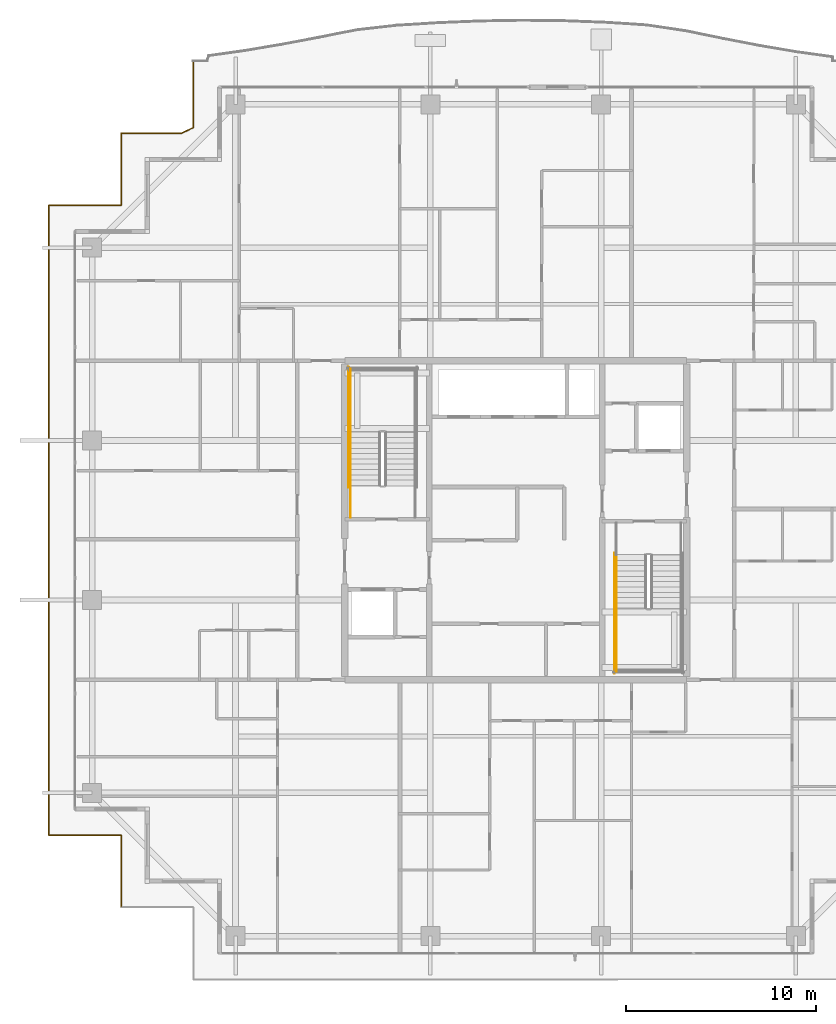
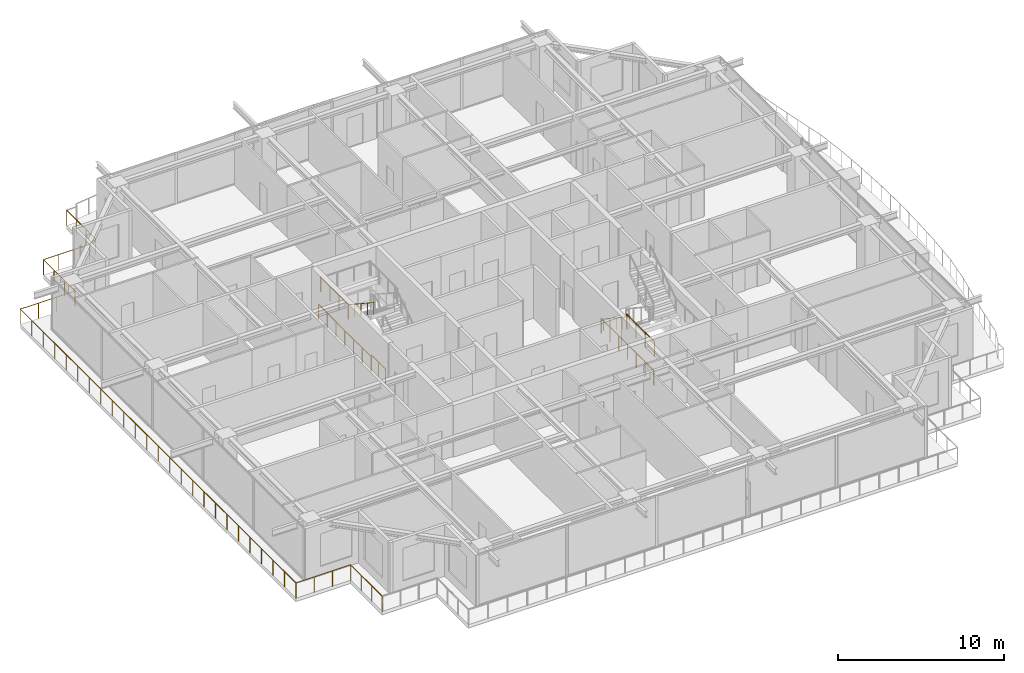
# One storey, part 37 of 40: 8 railings.
"""IFC4 building model written with IfcOpenShell, lengths in metres."""

from ifc_helpers import new_model, si_unit, direction, frame, origin, origin_2d, place, context, subcontext, project, spatial, circle, extrude, material, type_object, element, save


model = new_model("IFC4")

# Units and contexts
model_context = context("Model", 3, precision=1e-05, world=origin(), true_north=direction((0.0, 1.0)))
body_context = subcontext(model_context, "Body", "Model", "MODEL_VIEW")
ifc_project = project(units=[si_unit("LENGTHUNIT", "METRE"), si_unit("AREAUNIT", "SQUARE_METRE"), si_unit("VOLUMEUNIT", "CUBIC_METRE"), si_unit("PLANEANGLEUNIT", "RADIAN"), si_unit("MASSUNIT", "GRAM", prefix="KILO")], contexts=[model_context])

# Site, building, storey
site_placement = place(None, origin())
site = spatial("IfcSite", under=ifc_project, at=site_placement, CompositionType="ELEMENT")
building_placement = place(site_placement, origin())
building = spatial("IfcBuilding", under=site, at=building_placement, Name="Serunith Strait Residences", CompositionType="ELEMENT")
storey_placement = place(building_placement, frame((0.0, 0.0, 313.699951171875)))
storey = spatial("IfcBuildingStorey", under=building, at=storey_placement, Name="L78", CompositionType="ELEMENT", Elevation=313.699951171875)

# Railings
ifc_material_1 = material(Name="Stainless Steel & Laminated Glass Balustrade", Category="steel")
railing_type_1 = type_object("IfcRailingType", Name="RLG-BALC-1150", PredefinedType="BALUSTRADE", material=ifc_material_1)
railing_1_placement = place(storey_placement, frame((11.6201171875, 4.820068359375, -0.050048828125)))
element("IfcRailing", 1, at=railing_1_placement, inside=storey, type_object=railing_type_1, Name="L78 Swirling Balcony Perimeter Balustrade 8", PredefinedType="BALUSTRADE", context=body_context, shape_type="SweptSolid", body=[
    extrude(circle(Radius=0.02392578125, at=origin_2d()), frame((0.0, 0.001953125, 1.1259765625), z_axis=(0.0, 1.0, 0.0), x_axis=(-1.0, 0.0, 0.0)), (0.0, 0.0, 1.0), 3.796142578125),
    extrude(circle(Radius=0.02392578125, at=origin_2d()), frame((-0.001953125, 3.800048828125, 1.1259765625), z_axis=(-1.0, 0.0, 0.0), x_axis=(0.0, -1.0, 0.0)), (0.0, 0.0, 1.0), 3.796142578125),
    extrude(circle(Radius=0.02392578125, at=origin_2d()), frame((-3.800048828125, 3.802001953125, 1.1259765625), z_axis=(0.0, 1.0, 0.0), x_axis=(-1.0, 0.0, 0.0)), (0.0, 0.0, 1.0), 33.156005859375),
    extrude(circle(Radius=0.02392578125, at=origin_2d()), frame((-3.798095703125, 36.9599609375, 1.1259765625), z_axis=(1.0, 0.0, 0.0), x_axis=(0.0, 1.0, 0.0)), (0.0, 0.0, 1.0), 3.796142578125),
    extrude(circle(Radius=0.02392578125, at=origin_2d()), frame((0.0, 36.9619140625, 1.1259765625), z_axis=(0.0, 1.0, 0.0), x_axis=(-1.0, 0.0, 0.0)), (0.0, 0.0, 1.0), 3.796142578125),
    extrude(circle(Radius=0.02392578125, at=origin_2d()), frame((0.001953125, 40.760009765625, 1.1259765625), z_axis=(1.0, 0.0, 0.0), x_axis=(0.0, 1.0, 0.0)), (0.0, 0.0, 1.0), 3.177978515625),
    extrude(circle(Radius=0.02392578125, at=origin_2d()), frame((3.18359375, 40.7607421875, 1.1259765625), z_axis=(0.904275469132, 0.42694950044, 0.0), x_axis=(-0.42694950044, 0.904275469132, 0.0)), (0.0, 0.0, 1.0), 0.679443359375),
    extrude(circle(Radius=0.02392578125, at=origin_2d()), frame((3.7998046875, 41.0537109375, 1.1259765625), z_axis=(0.0, 1.0, 0.0), x_axis=(-1.0, 0.0, 0.0)), (0.0, 0.0, 1.0), 3.504150390625),
    extrude(circle(Radius=0.02099609375, at=origin_2d()), origin(), (0.0, 0.0, 1.0), 1.099853515625),
    extrude(circle(Radius=0.02099609375, at=origin_2d()), frame((0.0, 1.2666015625, 0.0)), (0.0, 0.0, 1.0), 1.099853515625),
    extrude(circle(Radius=0.02099609375, at=origin_2d()), frame((0.0, 2.533447265625, 0.0)), (0.0, 0.0, 1.0), 1.099853515625),
    extrude(circle(Radius=0.02099609375, at=origin_2d()), frame((0.0, 3.800048828125, 0.0)), (0.0, 0.0, 1.0), 1.099853515625),
    extrude(circle(Radius=0.02099609375, at=origin_2d()), frame((-1.2666015625, 3.800048828125, 0.0)), (0.0, 0.0, 1.0), 1.099853515625),
    extrude(circle(Radius=0.02099609375, at=origin_2d()), frame((-2.533447265625, 3.800048828125, 0.0)), (0.0, 0.0, 1.0), 1.099853515625),
    extrude(circle(Radius=0.02099609375, at=origin_2d()), frame((-3.800048828125, 3.800048828125, 0.0)), (0.0, 0.0, 1.0), 1.099853515625),
    extrude(circle(Radius=0.02099609375, at=origin_2d()), frame((-3.800048828125, 5.181640625, 0.0)), (0.0, 0.0, 1.0), 1.099853515625),
    extrude(circle(Radius=0.02099609375, at=origin_2d()), frame((-3.800048828125, 6.5634765625, 0.0)), (0.0, 0.0, 1.0), 1.099853515625),
    extrude(circle(Radius=0.02099609375, at=origin_2d()), frame((-3.800048828125, 7.945068359375, 0.0)), (0.0, 0.0, 1.0), 1.099853515625),
    extrude(circle(Radius=0.02099609375, at=origin_2d()), frame((-3.800048828125, 9.32666015625, 0.0)), (0.0, 0.0, 1.0), 1.099853515625),
    extrude(circle(Radius=0.02099609375, at=origin_2d()), frame((-3.800048828125, 10.708251953125, 0.0)), (0.0, 0.0, 1.0), 1.099853515625),
    extrude(circle(Radius=0.02099609375, at=origin_2d()), frame((-3.800048828125, 12.090087890625, 0.0)), (0.0, 0.0, 1.0), 1.099853515625),
    extrude(circle(Radius=0.02099609375, at=origin_2d()), frame((-3.800048828125, 13.4716796875, 0.0)), (0.0, 0.0, 1.0), 1.099853515625),
    extrude(circle(Radius=0.02099609375, at=origin_2d()), frame((-3.800048828125, 14.853271484375, 0.0)), (0.0, 0.0, 1.0), 1.099853515625),
    extrude(circle(Radius=0.02099609375, at=origin_2d()), frame((-3.800048828125, 16.235107421875, 0.0)), (0.0, 0.0, 1.0), 1.099853515625),
    extrude(circle(Radius=0.02099609375, at=origin_2d()), frame((-3.800048828125, 17.61669921875, 0.0)), (0.0, 0.0, 1.0), 1.099853515625),
    extrude(circle(Radius=0.02099609375, at=origin_2d()), frame((-3.800048828125, 18.998291015625, 0.0)), (0.0, 0.0, 1.0), 1.099853515625),
    extrude(circle(Radius=0.02099609375, at=origin_2d()), frame((-3.800048828125, 20.3798828125, 0.0)), (0.0, 0.0, 1.0), 1.099853515625),
    extrude(circle(Radius=0.02099609375, at=origin_2d()), frame((-3.800048828125, 21.76171875, 0.0)), (0.0, 0.0, 1.0), 1.099853515625),
    extrude(circle(Radius=0.02099609375, at=origin_2d()), frame((-3.800048828125, 23.143310546875, 0.0)), (0.0, 0.0, 1.0), 1.099853515625),
    extrude(circle(Radius=0.02099609375, at=origin_2d()), frame((-3.800048828125, 24.52490234375, 0.0)), (0.0, 0.0, 1.0), 1.099853515625),
    extrude(circle(Radius=0.02099609375, at=origin_2d()), frame((-3.800048828125, 25.90673828125, 0.0)), (0.0, 0.0, 1.0), 1.099853515625),
    extrude(circle(Radius=0.02099609375, at=origin_2d()), frame((-3.800048828125, 27.288330078125, 0.0)), (0.0, 0.0, 1.0), 1.099853515625),
    extrude(circle(Radius=0.02099609375, at=origin_2d()), frame((-3.800048828125, 28.669921875, 0.0)), (0.0, 0.0, 1.0), 1.099853515625),
    extrude(circle(Radius=0.02099609375, at=origin_2d()), frame((-3.800048828125, 30.0517578125, 0.0)), (0.0, 0.0, 1.0), 1.099853515625),
    extrude(circle(Radius=0.02099609375, at=origin_2d()), frame((-3.800048828125, 31.433349609375, 0.0)), (0.0, 0.0, 1.0), 1.099853515625),
    extrude(circle(Radius=0.02099609375, at=origin_2d()), frame((-3.800048828125, 32.81494140625, 0.0)), (0.0, 0.0, 1.0), 1.099853515625),
    extrude(circle(Radius=0.02099609375, at=origin_2d()), frame((-3.800048828125, 34.196533203125, 0.0)), (0.0, 0.0, 1.0), 1.099853515625),
    extrude(circle(Radius=0.02099609375, at=origin_2d()), frame((-3.800048828125, 35.578369140625, 0.0)), (0.0, 0.0, 1.0), 1.099853515625),
    extrude(circle(Radius=0.02099609375, at=origin_2d()), frame((-3.800048828125, 36.9599609375, 0.0)), (0.0, 0.0, 1.0), 1.099853515625),
    extrude(circle(Radius=0.02099609375, at=origin_2d()), frame((-2.533447265625, 36.9599609375, 0.0)), (0.0, 0.0, 1.0), 1.099853515625),
    extrude(circle(Radius=0.02099609375, at=origin_2d()), frame((-1.2666015625, 36.9599609375, 0.0)), (0.0, 0.0, 1.0), 1.099853515625),
    extrude(circle(Radius=0.02099609375, at=origin_2d()), frame((0.0, 36.9599609375, 0.0)), (0.0, 0.0, 1.0), 1.099853515625),
    extrude(circle(Radius=0.02099609375, at=origin_2d()), frame((0.0, 38.2265625, 0.0)), (0.0, 0.0, 1.0), 1.099853515625),
    extrude(circle(Radius=0.02099609375, at=origin_2d()), frame((0.0, 39.493408203125, 0.0)), (0.0, 0.0, 1.0), 1.099853515625),
    extrude(circle(Radius=0.02099609375, at=origin_2d()), frame((0.0, 40.760009765625, 0.0)), (0.0, 0.0, 1.0), 1.099853515625),
    extrude(circle(Radius=0.02099609375, at=origin_2d()), frame((1.060546875, 40.760009765625, 0.0)), (0.0, 0.0, 1.0), 1.099853515625),
    extrude(circle(Radius=0.02099609375, at=origin_2d()), frame((2.121337890625, 40.760009765625, 0.0)), (0.0, 0.0, 1.0), 1.099853515625),
    extrude(circle(Radius=0.02099609375, at=origin_2d()), frame((3.181884765625, 40.760009765625, 0.0)), (0.0, 0.0, 1.0), 1.099853515625),
    extrude(circle(Radius=0.02099609375, at=origin_2d()), frame((3.7998046875, 41.0517578125, 0.0)), (0.0, 0.0, 1.0), 1.099853515625),
    extrude(circle(Radius=0.02099609375, at=origin_2d()), frame((3.7998046875, 42.22119140625, 0.0)), (0.0, 0.0, 1.0), 1.099853515625),
    extrude(circle(Radius=0.02099609375, at=origin_2d()), frame((3.7998046875, 43.390380859375, 0.0)), (0.0, 0.0, 1.0), 1.099853515625),
    extrude(circle(Radius=0.02099609375, at=origin_2d()), frame((3.7998046875, 44.559814453125, 0.0)), (0.0, 0.0, 1.0), 1.099853515625),
])
ifc_material_2 = material(Name="Brushed stainless steel 316L", Category="steel")
railing_type_2 = type_object("IfcRailingType", Name="RLG-STAIR-GUARD", PredefinedType="BALUSTRADE", material=ifc_material_2)
railing_2_placement = place(storey_placement, frame((23.699951171875, 29.830078125, 2.025146484375)))
element("IfcRailing", 2, at=railing_2_placement, inside=storey, type_object=railing_type_2, Name="L78 ST-1 stair guard 4", PredefinedType="BALUSTRADE", context=body_context, shape_type="SweptSolid", body=[
    extrude(circle(Radius=0.02392578125, at=origin_2d()), frame((0.0, 0.001953125, 1.076171875), z_axis=(0.0, 1.0, 0.0), x_axis=(-1.0, 0.0, 0.0)), (0.0, 0.0, 1.0), 3.31591796875),
    extrude(circle(Radius=0.02099609375, at=origin_2d()), origin(), (0.0, 0.0, 1.0), 1.050048828125),
    extrude(circle(Radius=0.02099609375, at=origin_2d()), frame((0.0, 1.106689453125, 0.0)), (0.0, 0.0, 1.0), 1.050048828125),
    extrude(circle(Radius=0.02099609375, at=origin_2d()), frame((0.0, 2.213134765625, 0.0)), (0.0, 0.0, 1.0), 1.050048828125),
    extrude(circle(Radius=0.02099609375, at=origin_2d()), frame((0.0, 3.31982421875, 0.0)), (0.0, 0.0, 1.0), 1.050048828125),
])
railing_3_placement = place(storey_placement, frame((23.699951171875, 25.35009765625, 0.0)))
element("IfcRailing", 3, at=railing_3_placement, inside=storey, type_object=railing_type_2, Name="L78 ST-1 stair guard 9", PredefinedType="BALUSTRADE", context=body_context, shape_type="SweptSolid", body=[
    extrude(circle(Radius=0.02392578125, at=origin_2d()), frame((0.0, 0.001953125, 1.076171875), z_axis=(0.0, 1.0, 0.0), x_axis=(-1.0, 0.0, 0.0)), (0.0, 0.0, 1.0), 1.676025390625),
    extrude(circle(Radius=0.02099609375, at=origin_2d()), origin(), (0.0, 0.0, 1.0), 1.050048828125),
    extrude(circle(Radius=0.02099609375, at=origin_2d()), frame((0.0, 0.83984375, 0.0)), (0.0, 0.0, 1.0), 1.050048828125),
    extrude(circle(Radius=0.02099609375, at=origin_2d()), frame((0.0, 1.679931640625, 0.0)), (0.0, 0.0, 1.0), 1.050048828125),
])
railing_4_placement = place(storey_placement, frame((23.60009765625, 26.929931640625, 0.0)))
element("IfcRailing", 4, at=railing_4_placement, inside=storey, type_object=railing_type_2, Name="L78 ST-1 stair guard 11", PredefinedType="BALUSTRADE", context=body_context, shape_type="SweptSolid", body=[
    extrude(circle(Radius=0.02392578125, at=origin_2d()), frame((0.0, 0.001953125, 1.076171875), z_axis=(0.0, 1.0, 0.0), x_axis=(-1.0, 0.0, 0.0)), (0.0, 0.0, 1.0), 6.316162109375),
    extrude(circle(Radius=0.02099609375, at=origin_2d()), origin(), (0.0, 0.0, 1.0), 1.050048828125),
    extrude(circle(Radius=0.02099609375, at=origin_2d()), frame((0.0, 1.05322265625, 0.0)), (0.0, 0.0, 1.0), 1.050048828125),
    extrude(circle(Radius=0.02099609375, at=origin_2d()), frame((0.0, 2.106689453125, 0.0)), (0.0, 0.0, 1.0), 1.050048828125),
    extrude(circle(Radius=0.02099609375, at=origin_2d()), frame((0.0, 3.16015625, 0.0)), (0.0, 0.0, 1.0), 1.050048828125),
    extrude(circle(Radius=0.02099609375, at=origin_2d()), frame((0.0, 4.21337890625, 0.0)), (0.0, 0.0, 1.0), 1.050048828125),
    extrude(circle(Radius=0.02099609375, at=origin_2d()), frame((0.0, 5.2666015625, 0.0)), (0.0, 0.0, 1.0), 1.050048828125),
    extrude(circle(Radius=0.02099609375, at=origin_2d()), frame((0.0, 6.320068359375, 0.0)), (0.0, 0.0, 1.0), 1.050048828125),
])
railing_5_placement = place(storey_placement, frame((37.699951171875, 20.570068359375, 2.025146484375)))
element("IfcRailing", 5, at=railing_5_placement, inside=storey, type_object=railing_type_2, Name="L78 ST-2 stair guard 3", PredefinedType="BALUSTRADE", context=body_context, shape_type="SweptSolid", body=[
    extrude(circle(Radius=0.02392578125, at=origin_2d()), frame((0.0, -0.001953125, 1.076171875), z_axis=(0.0, -1.0, 0.0), x_axis=(1.0, 0.0, 0.0)), (0.0, 0.0, 1.0), 3.316162109375),
    extrude(circle(Radius=0.02099609375, at=origin_2d()), origin(), (0.0, 0.0, 1.0), 1.050048828125),
    extrude(circle(Radius=0.02099609375, at=origin_2d()), frame((0.0, -1.106689453125, 0.0)), (0.0, 0.0, 1.0), 1.050048828125),
    extrude(circle(Radius=0.02099609375, at=origin_2d()), frame((0.0, -2.21337890625, 0.0)), (0.0, 0.0, 1.0), 1.050048828125),
    extrude(circle(Radius=0.02099609375, at=origin_2d()), frame((0.0, -3.320068359375, 0.0)), (0.0, 0.0, 1.0), 1.050048828125),
])
railing_6_placement = place(storey_placement, frame((37.60009765625, 23.469970703125, 0.0)))
element("IfcRailing", 6, at=railing_6_placement, inside=storey, type_object=railing_type_2, Name="L78 ST-2 stair guard 10", PredefinedType="BALUSTRADE", context=body_context, shape_type="SweptSolid", body=[
    extrude(circle(Radius=0.02392578125, at=origin_2d()), frame((0.0, -0.001953125, 1.076171875), z_axis=(0.0, -1.0, 0.0), x_axis=(1.0, 0.0, 0.0)), (0.0, 0.0, 1.0), 6.316162109375),
    extrude(circle(Radius=0.02099609375, at=origin_2d()), origin(), (0.0, 0.0, 1.0), 1.050048828125),
    extrude(circle(Radius=0.02099609375, at=origin_2d()), frame((0.0, -1.05322265625, 0.0)), (0.0, 0.0, 1.0), 1.050048828125),
    extrude(circle(Radius=0.02099609375, at=origin_2d()), frame((0.0, -2.106689453125, 0.0)), (0.0, 0.0, 1.0), 1.050048828125),
    extrude(circle(Radius=0.02099609375, at=origin_2d()), frame((0.0, -3.16015625, 0.0)), (0.0, 0.0, 1.0), 1.050048828125),
    extrude(circle(Radius=0.02099609375, at=origin_2d()), frame((0.0, -4.21337890625, 0.0)), (0.0, 0.0, 1.0), 1.050048828125),
    extrude(circle(Radius=0.02099609375, at=origin_2d()), frame((0.0, -5.2666015625, 0.0)), (0.0, 0.0, 1.0), 1.050048828125),
    extrude(circle(Radius=0.02099609375, at=origin_2d()), frame((0.0, -6.320068359375, 0.0)), (0.0, 0.0, 1.0), 1.050048828125),
])
railing_type_3 = type_object("IfcRailingType", Name="RLG-STAIR-HR", PredefinedType="HANDRAIL", material=ifc_material_2)
for number, where, name in (
    (7, (23.699951171875, 29.830078125, 2.209228515625), "L78 ST-1 stair handrail 2"),
    (8, (37.699951171875, 23.3701171875, 0.18408203125), "L78 ST-2 stair handrail 1"),
):
    element("IfcRailing", number, at=place(storey_placement, frame(where)), inside=storey, type_object=railing_type_3, Name=name, PredefinedType="HANDRAIL", context=body_context, shape_type="SweptSolid", body=[
        extrude(circle(Radius=0.02392578125, at=origin_2d()), frame((0.0, -0.001708984375, 0.876953125), z_axis=(0.0, -0.83496096917, 0.550309167616), x_axis=(1.0, 0.0, 0.0)), (0.0, 0.0, 1.0), 3.684814453125),
        extrude(circle(Radius=0.02099609375, at=origin_2d()), origin(), (0.0, 0.0, 1.0), 0.849853515625),
        extrude(circle(Radius=0.02099609375, at=origin_2d()), frame((0.0, -0.77001953125, 0.507568359375)), (0.0, 0.0, 1.0), 0.849853515625),
        extrude(circle(Radius=0.02099609375, at=origin_2d()), frame((0.0, -1.5400390625, 1.01513671875)), (0.0, 0.0, 1.0), 0.849853515625),
        extrude(circle(Radius=0.02099609375, at=origin_2d()), frame((0.0, -2.31005859375, 1.5224609375)), (0.0, 0.0, 1.0), 0.849853515625),
        extrude(circle(Radius=0.02099609375, at=origin_2d()), frame((0.0, -3.080078125, 2.030029296875)), (0.0, 0.0, 1.0), 0.849853515625),
    ])

save(model, "model.ifc")
